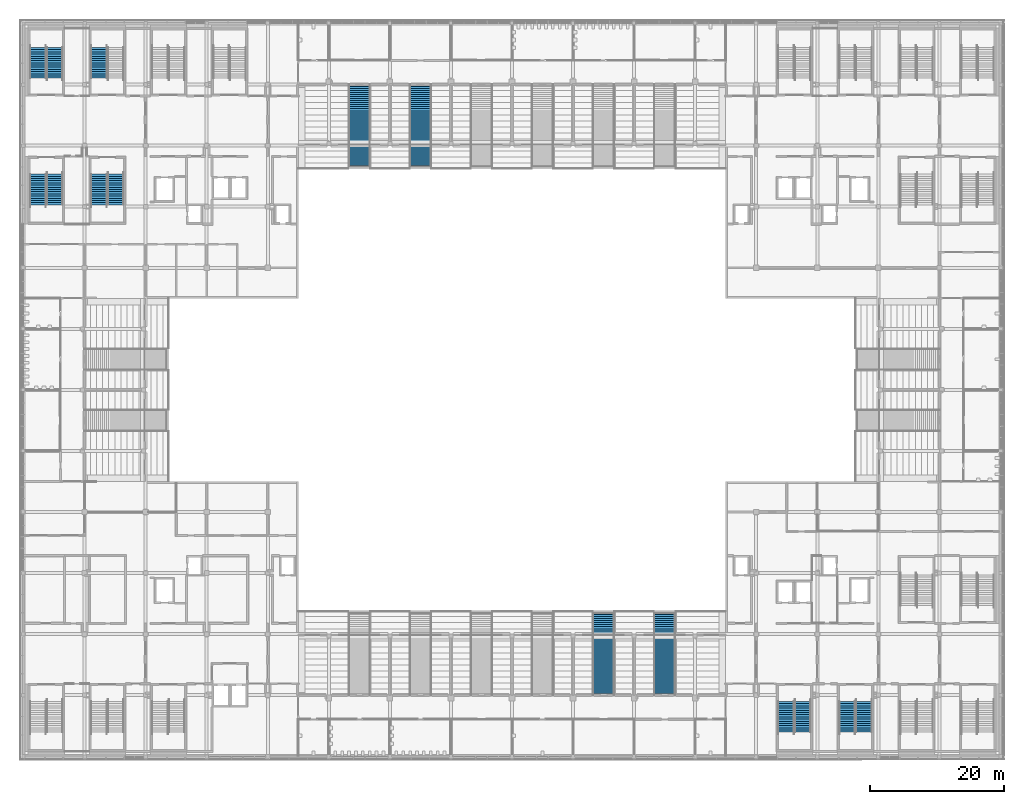
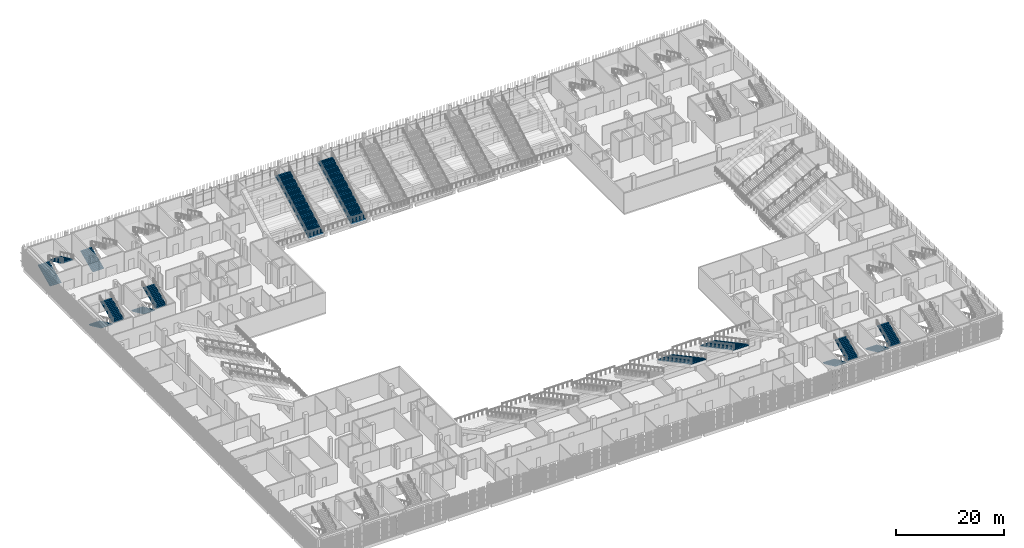
# One storey, part 93 of 139: 15 stair flights, 10 elements without a shape of their own.
"""IFC4 building model written with IfcOpenShell, lengths in metres."""

from ifc_helpers import new_model, si_unit, direction, frame, origin, place, context, subcontext, project, spatial, polyline, outline, extrude, material, type_object, element, aggregate, save


model = new_model("IFC4")

# Units and contexts
model_context = context("Model", 3, precision=1e-05, world=origin(), true_north=direction((0.0, 1.0)))
body_context = subcontext(model_context, "Body", "Model", "MODEL_VIEW")
ifc_project = project(units=[si_unit("LENGTHUNIT", "METRE"), si_unit("AREAUNIT", "SQUARE_METRE"), si_unit("VOLUMEUNIT", "CUBIC_METRE"), si_unit("PLANEANGLEUNIT", "RADIAN"), si_unit("MASSUNIT", "GRAM", prefix="KILO")], contexts=[model_context])

# Site, building, storey
site_placement = place(None, origin())
site = spatial("IfcSite", under=ifc_project, at=site_placement, CompositionType="ELEMENT")
building_placement = place(site_placement, origin())
building = spatial("IfcBuilding", under=site, at=building_placement, Name="Shirokan Park Arena", CompositionType="ELEMENT")
storey_placement = place(building_placement, frame((0.0, 0.0, 15.469970703125)))
storey = spatial("IfcBuildingStorey", under=building, at=storey_placement, Name="L03", CompositionType="ELEMENT", Elevation=15.469970703125)

# Stair, stair flights
ifc_material = material(Name="Concrete C30 precast", Category="concrete")
stair_type_1 = type_object("IfcStairType", Name="Stair 30 risers 152 x 327 2400 wide", PredefinedType="TWO_STRAIGHT_RUN_STAIR", material=ifc_material)
stair_1_placement = place(storey_placement, origin())
stair_1 = element("IfcStair", 1, at=stair_1_placement, inside=storey, type_object=stair_type_1, Name="Exit Stair 2.C L03 to L04", PredefinedType="TWO_STRAIGHT_RUN_STAIR")
stair_flight_type_1 = type_object("IfcStairFlightType", Name="Stair flight 15 risers 152 x 327 2400 wide", PredefinedType="STRAIGHT", material=ifc_material)
stair_flight_1_placement = place(storey_placement, frame((122.75, 8.14990234375, 0.0), z_axis=(0.0, 0.0, 1.0), x_axis=(0.0, -1.0, 0.0)))
stair_flight_1 = element("IfcStairFlight", 2, at=stair_flight_1_placement, type_object=stair_flight_type_1, Name="ST06.4 flight 1", NumberOfRisers=15, NumberOfTreads=14, PredefinedType="STRAIGHT", RiserHeight=0.151666667, TreadLength=0.3267, context=body_context, shape_type="SweptSolid", body=[
    extrude(outline(polyline([(0.0, 0.0), (0.0, 0.151611328125), (0.32666015625, 0.151611328125), (0.32666015625, 0.30322265625), (0.6533203125, 0.30322265625), (0.6533203125, 0.455078125), (0.97998046875, 0.455078125), (0.97998046875, 0.606689453125), (1.306884765625, 0.606689453125), (1.306884765625, 0.75830078125), (1.633544921875, 0.75830078125), (1.633544921875, 0.909912109375), (1.960205078125, 0.909912109375), (1.960205078125, 1.061767578125), (2.286865234375, 1.061767578125), (2.286865234375, 1.21337890625), (2.613525390625, 1.21337890625), (2.613525390625, 1.364990234375), (2.940185546875, 1.364990234375), (2.940185546875, 1.5166015625), (3.26708984375, 1.5166015625), (3.26708984375, 1.668212890625), (3.59375, 1.668212890625), (3.59375, 1.820068359375), (3.92041015625, 1.820068359375), (3.92041015625, 1.9716796875), (4.2470703125, 1.9716796875), (4.2470703125, 2.123291015625), (4.57373046875, 2.123291015625), (4.57373046875, 2.27490234375), (4.57373046875, 1.9580078125), (0.35595703125, 0.0), (0.0, 0.0)])), frame((0.0, 1.199951171875, 0.0), z_axis=(0.0, -1.0, 0.0), x_axis=(1.0, 0.0, 0.0)), (0.0, 0.0, 1.0), 2.39990234375),
])
stair_flight_2_placement = place(storey_placement, frame((125.25, 3.576171875, 2.275146484375), z_axis=(0.0, 0.0, 1.0), x_axis=(0.0, 1.0, 0.0)))
stair_flight_2 = element("IfcStairFlight", 3, at=stair_flight_2_placement, type_object=stair_flight_type_1, Name="ST06.4 flight 2", NumberOfRisers=15, NumberOfTreads=14, PredefinedType="STRAIGHT", RiserHeight=0.151666667, TreadLength=0.3267, context=body_context, shape_type="SweptSolid", body=[
    extrude(outline(polyline([(0.0, 0.0), (0.0, 0.151611328125), (0.32666015625, 0.151611328125), (0.32666015625, 0.30322265625), (0.6533203125, 0.30322265625), (0.6533203125, 0.455078125), (0.97998046875, 0.455078125), (0.97998046875, 0.606689453125), (1.306884765625, 0.606689453125), (1.306884765625, 0.75830078125), (1.633544921875, 0.75830078125), (1.633544921875, 0.909912109375), (1.960205078125, 0.909912109375), (1.960205078125, 1.061767578125), (2.286865234375, 1.061767578125), (2.286865234375, 1.21337890625), (2.613525390625, 1.21337890625), (2.613525390625, 1.364990234375), (2.940185546875, 1.364990234375), (2.940185546875, 1.5166015625), (3.26708984375, 1.5166015625), (3.26708984375, 1.668212890625), (3.59375, 1.668212890625), (3.59375, 1.820068359375), (3.92041015625, 1.820068359375), (3.92041015625, 1.9716796875), (4.2470703125, 1.9716796875), (4.2470703125, 2.123291015625), (4.57373046875, 2.123291015625), (4.57373046875, 2.27490234375), (4.57373046875, 1.9580078125), (0.35595703125, 0.0), (0.0, 0.0)])), frame((0.0, 1.199951171875, 0.0), z_axis=(0.0, -1.0, 0.0), x_axis=(1.0, 0.0, 0.0)), (0.0, 0.0, 1.0), 2.39990234375),
])
aggregate(stair_1, [stair_flight_1, stair_flight_2])

stair_2_placement = place(storey_placement, origin())
stair_2 = element("IfcStair", 4, at=stair_2_placement, inside=storey, type_object=stair_type_1, Name="Exit Stair 2.D L03 to L04", PredefinedType="TWO_STRAIGHT_RUN_STAIR")
stair_flight_3_placement = place(storey_placement, frame((113.64990234375, 8.14990234375, 0.0), z_axis=(0.0, 0.0, 1.0), x_axis=(0.0, -1.0, 0.0)))
stair_flight_3 = element("IfcStairFlight", 5, at=stair_flight_3_placement, type_object=stair_flight_type_1, Name="ST07.4 flight 1", NumberOfRisers=15, NumberOfTreads=14, PredefinedType="STRAIGHT", RiserHeight=0.151666667, TreadLength=0.3267, context=body_context, shape_type="SweptSolid", body=[
    extrude(outline(polyline([(0.0, 0.0), (0.0, 0.151611328125), (0.32666015625, 0.151611328125), (0.32666015625, 0.30322265625), (0.6533203125, 0.30322265625), (0.6533203125, 0.455078125), (0.97998046875, 0.455078125), (0.97998046875, 0.606689453125), (1.306884765625, 0.606689453125), (1.306884765625, 0.75830078125), (1.633544921875, 0.75830078125), (1.633544921875, 0.909912109375), (1.960205078125, 0.909912109375), (1.960205078125, 1.061767578125), (2.286865234375, 1.061767578125), (2.286865234375, 1.21337890625), (2.613525390625, 1.21337890625), (2.613525390625, 1.364990234375), (2.940185546875, 1.364990234375), (2.940185546875, 1.5166015625), (3.26708984375, 1.5166015625), (3.26708984375, 1.668212890625), (3.59375, 1.668212890625), (3.59375, 1.820068359375), (3.92041015625, 1.820068359375), (3.92041015625, 1.9716796875), (4.2470703125, 1.9716796875), (4.2470703125, 2.123291015625), (4.57373046875, 2.123291015625), (4.57373046875, 2.27490234375), (4.57373046875, 1.9580078125), (0.35595703125, 0.0), (0.0, 0.0)])), frame((0.0, 1.199951171875, 0.0), z_axis=(0.0, -1.0, 0.0), x_axis=(1.0, 0.0, 0.0)), (0.0, 0.0, 1.0), 2.39990234375),
])
stair_flight_4_placement = place(storey_placement, frame((116.14990234375, 3.576171875, 2.275146484375), z_axis=(0.0, 0.0, 1.0), x_axis=(0.0, 1.0, 0.0)))
stair_flight_4 = element("IfcStairFlight", 6, at=stair_flight_4_placement, type_object=stair_flight_type_1, Name="ST07.4 flight 2", NumberOfRisers=15, NumberOfTreads=14, PredefinedType="STRAIGHT", RiserHeight=0.151666667, TreadLength=0.3267, context=body_context, shape_type="SweptSolid", body=[
    extrude(outline(polyline([(0.0, 0.0), (0.0, 0.151611328125), (0.32666015625, 0.151611328125), (0.32666015625, 0.30322265625), (0.6533203125, 0.30322265625), (0.6533203125, 0.455078125), (0.97998046875, 0.455078125), (0.97998046875, 0.606689453125), (1.306884765625, 0.606689453125), (1.306884765625, 0.75830078125), (1.633544921875, 0.75830078125), (1.633544921875, 0.909912109375), (1.960205078125, 0.909912109375), (1.960205078125, 1.061767578125), (2.286865234375, 1.061767578125), (2.286865234375, 1.21337890625), (2.613525390625, 1.21337890625), (2.613525390625, 1.364990234375), (2.940185546875, 1.364990234375), (2.940185546875, 1.5166015625), (3.26708984375, 1.5166015625), (3.26708984375, 1.668212890625), (3.59375, 1.668212890625), (3.59375, 1.820068359375), (3.92041015625, 1.820068359375), (3.92041015625, 1.9716796875), (4.2470703125, 1.9716796875), (4.2470703125, 2.123291015625), (4.57373046875, 2.123291015625), (4.57373046875, 2.27490234375), (4.57373046875, 1.9580078125), (0.35595703125, 0.0), (0.0, 0.0)])), frame((0.0, 1.199951171875, 0.0), z_axis=(0.0, -1.0, 0.0), x_axis=(1.0, 0.0, 0.0)), (0.0, 0.0, 1.0), 2.39990234375),
])
aggregate(stair_2, [stair_flight_3, stair_flight_4])

stair_3_placement = place(storey_placement, origin())
stair_3 = element("IfcStair", 7, at=stair_3_placement, inside=storey, type_object=stair_type_1, Name="Exit Stair 4.A L03 to L04", PredefinedType="TWO_STRAIGHT_RUN_STAIR")
stair_flight_5_placement = place(storey_placement, frame((2.14990234375, 101.050048828125, 0.0), z_axis=(0.0, 0.0, 1.0), x_axis=(0.0, 1.0, 0.0)))
stair_flight_5 = element("IfcStairFlight", 8, at=stair_flight_5_placement, type_object=stair_flight_type_1, Name="ST10.4 flight 1", NumberOfRisers=15, NumberOfTreads=14, PredefinedType="STRAIGHT", RiserHeight=0.151666667, TreadLength=0.3267, context=body_context, shape_type="SweptSolid", body=[
    extrude(outline(polyline([(0.0, 0.0), (0.0, 0.151611328125), (0.32666015625, 0.151611328125), (0.32666015625, 0.30322265625), (0.6533203125, 0.30322265625), (0.6533203125, 0.455078125), (0.97998046875, 0.455078125), (0.97998046875, 0.606689453125), (1.306884765625, 0.606689453125), (1.306884765625, 0.75830078125), (1.633544921875, 0.75830078125), (1.633544921875, 0.909912109375), (1.960205078125, 0.909912109375), (1.960205078125, 1.061767578125), (2.286865234375, 1.061767578125), (2.286865234375, 1.21337890625), (2.613525390625, 1.21337890625), (2.613525390625, 1.364990234375), (2.940185546875, 1.364990234375), (2.940185546875, 1.5166015625), (3.26708984375, 1.5166015625), (3.26708984375, 1.668212890625), (3.59375, 1.668212890625), (3.59375, 1.820068359375), (3.92041015625, 1.820068359375), (3.92041015625, 1.9716796875), (4.2470703125, 1.9716796875), (4.2470703125, 2.123291015625), (4.57373046875, 2.123291015625), (4.57373046875, 2.27490234375), (4.57373046875, 1.9580078125), (0.35595703125, 0.0), (0.0, 0.0)])), frame((0.0, 1.199951171875, 0.0), z_axis=(0.0, -1.0, 0.0), x_axis=(1.0, 0.0, 0.0)), (0.0, 0.0, 1.0), 2.39990234375),
])
stair_flight_6_placement = place(storey_placement, frame((4.64990234375, 105.623779296875, 2.275146484375), z_axis=(0.0, 0.0, 1.0), x_axis=(0.0, -1.0, 0.0)))
stair_flight_6 = element("IfcStairFlight", 9, at=stair_flight_6_placement, type_object=stair_flight_type_1, Name="ST10.4 flight 2", NumberOfRisers=15, NumberOfTreads=14, PredefinedType="STRAIGHT", RiserHeight=0.151666667, TreadLength=0.3267, context=body_context, shape_type="SweptSolid", body=[
    extrude(outline(polyline([(0.0, 0.0), (0.0, 0.151611328125), (0.32666015625, 0.151611328125), (0.32666015625, 0.30322265625), (0.6533203125, 0.30322265625), (0.6533203125, 0.455078125), (0.97998046875, 0.455078125), (0.97998046875, 0.606689453125), (1.306884765625, 0.606689453125), (1.306884765625, 0.75830078125), (1.633544921875, 0.75830078125), (1.633544921875, 0.909912109375), (1.960205078125, 0.909912109375), (1.960205078125, 1.061767578125), (2.286865234375, 1.061767578125), (2.286865234375, 1.21337890625), (2.613525390625, 1.21337890625), (2.613525390625, 1.364990234375), (2.940185546875, 1.364990234375), (2.940185546875, 1.5166015625), (3.26708984375, 1.5166015625), (3.26708984375, 1.668212890625), (3.59375, 1.668212890625), (3.59375, 1.820068359375), (3.92041015625, 1.820068359375), (3.92041015625, 1.9716796875), (4.2470703125, 1.9716796875), (4.2470703125, 2.123291015625), (4.57373046875, 2.123291015625), (4.57373046875, 2.27490234375), (4.57373046875, 1.9580078125), (0.35595703125, 0.0), (0.0, 0.0)])), frame((0.0, 1.199951171875, 0.0), z_axis=(0.0, -1.0, 0.0), x_axis=(1.0, 0.0, 0.0)), (0.0, 0.0, 1.0), 2.39990234375),
])
aggregate(stair_3, [stair_flight_5, stair_flight_6])

# Stair, stair flight
stair_4_placement = place(storey_placement, origin())
stair_4 = element("IfcStair", 10, at=stair_4_placement, inside=storey, type_object=stair_type_1, Name="Exit Stair 4.B L03 to L04", PredefinedType="TWO_STRAIGHT_RUN_STAIR")
stair_flight_7_placement = place(storey_placement, frame((11.25, 101.050048828125, 0.0), z_axis=(0.0, 0.0, 1.0), x_axis=(0.0, 1.0, 0.0)))
stair_flight_7 = element("IfcStairFlight", 11, at=stair_flight_7_placement, type_object=stair_flight_type_1, Name="ST11.4 flight 1", NumberOfRisers=15, NumberOfTreads=14, PredefinedType="STRAIGHT", RiserHeight=0.151666667, TreadLength=0.3267, context=body_context, shape_type="SweptSolid", body=[
    extrude(outline(polyline([(0.0, 0.0), (0.0, 0.151611328125), (0.32666015625, 0.151611328125), (0.32666015625, 0.30322265625), (0.6533203125, 0.30322265625), (0.6533203125, 0.455078125), (0.97998046875, 0.455078125), (0.97998046875, 0.606689453125), (1.306884765625, 0.606689453125), (1.306884765625, 0.75830078125), (1.633544921875, 0.75830078125), (1.633544921875, 0.909912109375), (1.960205078125, 0.909912109375), (1.960205078125, 1.061767578125), (2.286865234375, 1.061767578125), (2.286865234375, 1.21337890625), (2.613525390625, 1.21337890625), (2.613525390625, 1.364990234375), (2.940185546875, 1.364990234375), (2.940185546875, 1.5166015625), (3.26708984375, 1.5166015625), (3.26708984375, 1.668212890625), (3.59375, 1.668212890625), (3.59375, 1.820068359375), (3.92041015625, 1.820068359375), (3.92041015625, 1.9716796875), (4.2470703125, 1.9716796875), (4.2470703125, 2.123291015625), (4.57373046875, 2.123291015625), (4.57373046875, 2.27490234375), (4.57373046875, 1.9580078125), (0.35595703125, 0.0), (0.0, 0.0)])), frame((0.0, 1.199951171875, 0.0), z_axis=(0.0, -1.0, 0.0), x_axis=(1.0, 0.0, 0.0)), (0.0, 0.0, 1.0), 2.39990234375),
])
aggregate(stair_4, [stair_flight_7])

# Stair, stair flights
stair_5_placement = place(storey_placement, origin())
stair_5 = element("IfcStair", 12, at=stair_5_placement, inside=storey, type_object=stair_type_1, Name="Exit Stair 4.E L03 to L04", PredefinedType="TWO_STRAIGHT_RUN_STAIR")
stair_flight_8_placement = place(storey_placement, frame((2.14990234375, 86.75, 0.0), z_axis=(0.0, 0.0, 1.0), x_axis=(0.0, -1.0, 0.0)))
stair_flight_8 = element("IfcStairFlight", 13, at=stair_flight_8_placement, type_object=stair_flight_type_1, Name="ST14.4 flight 1", NumberOfRisers=15, NumberOfTreads=14, PredefinedType="STRAIGHT", RiserHeight=0.151666667, TreadLength=0.3267, context=body_context, shape_type="SweptSolid", body=[
    extrude(outline(polyline([(0.0, 0.0), (0.0, 0.151611328125), (0.32666015625, 0.151611328125), (0.32666015625, 0.30322265625), (0.6533203125, 0.30322265625), (0.6533203125, 0.455078125), (0.97998046875, 0.455078125), (0.97998046875, 0.606689453125), (1.306884765625, 0.606689453125), (1.306884765625, 0.75830078125), (1.633544921875, 0.75830078125), (1.633544921875, 0.909912109375), (1.960205078125, 0.909912109375), (1.960205078125, 1.061767578125), (2.286865234375, 1.061767578125), (2.286865234375, 1.21337890625), (2.613525390625, 1.21337890625), (2.613525390625, 1.364990234375), (2.940185546875, 1.364990234375), (2.940185546875, 1.5166015625), (3.26708984375, 1.5166015625), (3.26708984375, 1.668212890625), (3.59375, 1.668212890625), (3.59375, 1.820068359375), (3.92041015625, 1.820068359375), (3.92041015625, 1.9716796875), (4.2470703125, 1.9716796875), (4.2470703125, 2.123291015625), (4.57373046875, 2.123291015625), (4.57373046875, 2.27490234375), (4.57373046875, 1.9580078125), (0.35595703125, 0.0), (0.0, 0.0)])), frame((0.0, 1.199951171875, 0.0), z_axis=(0.0, -1.0, 0.0), x_axis=(1.0, 0.0, 0.0)), (0.0, 0.0, 1.0), 2.39990234375),
])
stair_flight_9_placement = place(storey_placement, frame((4.64990234375, 82.17626953125, 2.275146484375), z_axis=(0.0, 0.0, 1.0), x_axis=(0.0, 1.0, 0.0)))
stair_flight_9 = element("IfcStairFlight", 14, at=stair_flight_9_placement, type_object=stair_flight_type_1, Name="ST14.4 flight 2", NumberOfRisers=15, NumberOfTreads=14, PredefinedType="STRAIGHT", RiserHeight=0.151666667, TreadLength=0.3267, context=body_context, shape_type="SweptSolid", body=[
    extrude(outline(polyline([(0.0, 0.0), (0.0, 0.151611328125), (0.32666015625, 0.151611328125), (0.32666015625, 0.30322265625), (0.6533203125, 0.30322265625), (0.6533203125, 0.455078125), (0.97998046875, 0.455078125), (0.97998046875, 0.606689453125), (1.306884765625, 0.606689453125), (1.306884765625, 0.75830078125), (1.633544921875, 0.75830078125), (1.633544921875, 0.909912109375), (1.960205078125, 0.909912109375), (1.960205078125, 1.061767578125), (2.286865234375, 1.061767578125), (2.286865234375, 1.21337890625), (2.613525390625, 1.21337890625), (2.613525390625, 1.364990234375), (2.940185546875, 1.364990234375), (2.940185546875, 1.5166015625), (3.26708984375, 1.5166015625), (3.26708984375, 1.668212890625), (3.59375, 1.668212890625), (3.59375, 1.820068359375), (3.92041015625, 1.820068359375), (3.92041015625, 1.9716796875), (4.2470703125, 1.9716796875), (4.2470703125, 2.123291015625), (4.57373046875, 2.123291015625), (4.57373046875, 2.27490234375), (4.57373046875, 1.9580078125), (0.35595703125, 0.0), (0.0, 0.0)])), frame((0.0, 1.199951171875, 0.0), z_axis=(0.0, -1.0, 0.0), x_axis=(1.0, 0.0, 0.0)), (0.0, 0.0, 1.0), 2.39990234375),
])
aggregate(stair_5, [stair_flight_8, stair_flight_9])

stair_6_placement = place(storey_placement, origin())
stair_6 = element("IfcStair", 15, at=stair_6_placement, inside=storey, type_object=stair_type_1, Name="Exit Stair 4.F L03 to L04", PredefinedType="TWO_STRAIGHT_RUN_STAIR")
stair_flight_10_placement = place(storey_placement, frame((11.25, 86.75, 0.0), z_axis=(0.0, 0.0, 1.0), x_axis=(0.0, -1.0, 0.0)))
stair_flight_10 = element("IfcStairFlight", 16, at=stair_flight_10_placement, type_object=stair_flight_type_1, Name="ST15.4 flight 1", NumberOfRisers=15, NumberOfTreads=14, PredefinedType="STRAIGHT", RiserHeight=0.151666667, TreadLength=0.3267, context=body_context, shape_type="SweptSolid", body=[
    extrude(outline(polyline([(0.0, 0.0), (0.0, 0.151611328125), (0.32666015625, 0.151611328125), (0.32666015625, 0.30322265625), (0.6533203125, 0.30322265625), (0.6533203125, 0.455078125), (0.97998046875, 0.455078125), (0.97998046875, 0.606689453125), (1.306884765625, 0.606689453125), (1.306884765625, 0.75830078125), (1.633544921875, 0.75830078125), (1.633544921875, 0.909912109375), (1.960205078125, 0.909912109375), (1.960205078125, 1.061767578125), (2.286865234375, 1.061767578125), (2.286865234375, 1.21337890625), (2.613525390625, 1.21337890625), (2.613525390625, 1.364990234375), (2.940185546875, 1.364990234375), (2.940185546875, 1.5166015625), (3.26708984375, 1.5166015625), (3.26708984375, 1.668212890625), (3.59375, 1.668212890625), (3.59375, 1.820068359375), (3.92041015625, 1.820068359375), (3.92041015625, 1.9716796875), (4.2470703125, 1.9716796875), (4.2470703125, 2.123291015625), (4.57373046875, 2.123291015625), (4.57373046875, 2.27490234375), (4.57373046875, 1.9580078125), (0.35595703125, 0.0), (0.0, 0.0)])), frame((0.0, 1.199951171875, 0.0), z_axis=(0.0, -1.0, 0.0), x_axis=(1.0, 0.0, 0.0)), (0.0, 0.0, 1.0), 2.39990234375),
])
stair_flight_11_placement = place(storey_placement, frame((13.75, 82.17626953125, 2.275146484375), z_axis=(0.0, 0.0, 1.0), x_axis=(0.0, 1.0, 0.0)))
stair_flight_11 = element("IfcStairFlight", 17, at=stair_flight_11_placement, type_object=stair_flight_type_1, Name="ST15.4 flight 2", NumberOfRisers=15, NumberOfTreads=14, PredefinedType="STRAIGHT", RiserHeight=0.151666667, TreadLength=0.3267, context=body_context, shape_type="SweptSolid", body=[
    extrude(outline(polyline([(0.0, 0.0), (0.0, 0.151611328125), (0.32666015625, 0.151611328125), (0.32666015625, 0.30322265625), (0.6533203125, 0.30322265625), (0.6533203125, 0.455078125), (0.97998046875, 0.455078125), (0.97998046875, 0.606689453125), (1.306884765625, 0.606689453125), (1.306884765625, 0.75830078125), (1.633544921875, 0.75830078125), (1.633544921875, 0.909912109375), (1.960205078125, 0.909912109375), (1.960205078125, 1.061767578125), (2.286865234375, 1.061767578125), (2.286865234375, 1.21337890625), (2.613525390625, 1.21337890625), (2.613525390625, 1.364990234375), (2.940185546875, 1.364990234375), (2.940185546875, 1.5166015625), (3.26708984375, 1.5166015625), (3.26708984375, 1.668212890625), (3.59375, 1.668212890625), (3.59375, 1.820068359375), (3.92041015625, 1.820068359375), (3.92041015625, 1.9716796875), (4.2470703125, 1.9716796875), (4.2470703125, 2.123291015625), (4.57373046875, 2.123291015625), (4.57373046875, 2.27490234375), (4.57373046875, 1.9580078125), (0.35595703125, 0.0), (0.0, 0.0)])), frame((0.0, 1.199951171875, 0.0), z_axis=(0.0, -1.0, 0.0), x_axis=(1.0, 0.0, 0.0)), (0.0, 0.0, 1.0), 2.39990234375),
])
aggregate(stair_6, [stair_flight_10, stair_flight_11])

# Stair, stair flight
stair_type_2 = type_object("IfcStairType", Name="Stair 42 risers 160 x 300 3200 wide", PredefinedType="STRAIGHT_RUN_STAIR", material=ifc_material)
stair_7_placement = place(storey_placement, origin())
stair_7 = element("IfcStair", 18, at=stair_7_placement, inside=storey, type_object=stair_type_2, Name="Vomitory stair N1 upper", PredefinedType="STRAIGHT_RUN_STAIR")
stair_flight_type_2 = type_object("IfcStairFlightType", Name="Stair flight 42 risers 160 x 300 3200 wide", PredefinedType="STRAIGHT", material=ifc_material)
stair_flight_12_placement = place(storey_placement, frame((50.050048828125, 87.800048828125, 2.380126953125), z_axis=(0.0, 0.0, 1.0), x_axis=(0.0, 1.0, 0.0)))
stair_flight_12 = element("IfcStairFlight", 19, at=stair_flight_12_placement, type_object=stair_flight_type_2, Name="VS-N1U flight 1", NumberOfRisers=42, NumberOfTreads=41, PredefinedType="STRAIGHT", RiserHeight=0.16, TreadLength=0.3, context=body_context, shape_type="SweptSolid", body=[
    extrude(outline(polyline([(0.0, -0.2265625), (0.0, 0.0), (0.0, 0.159912109375), (0.300048828125, 0.159912109375), (0.300048828125, 0.320068359375), (0.60009765625, 0.320068359375), (0.60009765625, 0.47998046875), (0.89990234375, 0.47998046875), (0.89990234375, 0.639892578125), (1.199951171875, 0.639892578125), (1.199951171875, 0.800048828125), (1.5, 0.800048828125), (1.5, 0.9599609375), (1.800048828125, 0.9599609375), (1.800048828125, 1.1201171875), (2.10009765625, 1.1201171875), (2.10009765625, 1.280029296875), (2.39990234375, 1.280029296875), (2.39990234375, 1.43994140625), (2.699951171875, 1.43994140625), (2.699951171875, 1.60009765625), (3.0, 1.60009765625), (3.0, 1.760009765625), (3.300048828125, 1.760009765625), (3.300048828125, 1.919921875), (3.60009765625, 1.919921875), (3.60009765625, 2.080078125), (3.89990234375, 2.080078125), (3.89990234375, 2.239990234375), (4.199951171875, 2.239990234375), (4.199951171875, 2.39990234375), (4.5, 2.39990234375), (4.5, 2.56005859375), (4.800048828125, 2.56005859375), (4.800048828125, 2.719970703125), (5.10009765625, 2.719970703125), (5.10009765625, 2.8798828125), (5.39990234375, 2.8798828125), (5.39990234375, 3.0400390625), (5.699951171875, 3.0400390625), (5.699951171875, 3.199951171875), (6.0, 3.199951171875), (6.0, 3.360107421875), (6.300048828125, 3.360107421875), (6.300048828125, 3.52001953125), (6.60009765625, 3.52001953125), (6.60009765625, 3.679931640625), (6.89990234375, 3.679931640625), (6.89990234375, 3.840087890625), (7.199951171875, 3.840087890625), (7.199951171875, 4.0), (7.5, 4.0), (7.5, 4.159912109375), (7.800048828125, 4.159912109375), (7.800048828125, 4.320068359375), (8.10009765625, 4.320068359375), (8.10009765625, 4.47998046875), (8.39990234375, 4.47998046875), (8.39990234375, 4.639892578125), (8.699951171875, 4.639892578125), (8.699951171875, 4.800048828125), (9.0, 4.800048828125), (9.0, 4.9599609375), (9.300048828125, 4.9599609375), (9.300048828125, 5.1201171875), (9.60009765625, 5.1201171875), (9.60009765625, 5.280029296875), (9.89990234375, 5.280029296875), (9.89990234375, 5.43994140625), (10.199951171875, 5.43994140625), (10.199951171875, 5.60009765625), (10.5, 5.60009765625), (10.5, 5.760009765625), (10.800048828125, 5.760009765625), (10.800048828125, 5.919921875), (11.10009765625, 5.919921875), (11.10009765625, 6.080078125), (11.39990234375, 6.080078125), (11.39990234375, 6.239990234375), (11.699951171875, 6.239990234375), (11.699951171875, 6.39990234375), (12.0, 6.39990234375), (12.0, 6.56005859375), (12.300048828125, 6.56005859375), (12.300048828125, 6.719970703125), (12.300048828125, 6.33349609375), (0.0, -0.2265625)])), frame((0.0, 1.60009765625, 0.0), z_axis=(0.0, -1.0, 0.0), x_axis=(1.0, 0.0, 0.0)), (0.0, 0.0, 1.0), 3.199951171875),
])
aggregate(stair_7, [stair_flight_12])

stair_8_placement = place(storey_placement, origin())
stair_8 = element("IfcStair", 20, at=stair_8_placement, inside=storey, type_object=stair_type_2, Name="Vomitory stair N2 upper", PredefinedType="STRAIGHT_RUN_STAIR")
stair_flight_13_placement = place(storey_placement, frame((59.14990234375, 87.800048828125, 2.380126953125), z_axis=(0.0, 0.0, 1.0), x_axis=(0.0, 1.0, 0.0)))
stair_flight_13 = element("IfcStairFlight", 21, at=stair_flight_13_placement, type_object=stair_flight_type_2, Name="VS-N2U flight 1", NumberOfRisers=42, NumberOfTreads=41, PredefinedType="STRAIGHT", RiserHeight=0.16, TreadLength=0.3, context=body_context, shape_type="SweptSolid", body=[
    extrude(outline(polyline([(0.0, -0.2265625), (0.0, 0.0), (0.0, 0.159912109375), (0.300048828125, 0.159912109375), (0.300048828125, 0.320068359375), (0.60009765625, 0.320068359375), (0.60009765625, 0.47998046875), (0.89990234375, 0.47998046875), (0.89990234375, 0.639892578125), (1.199951171875, 0.639892578125), (1.199951171875, 0.800048828125), (1.5, 0.800048828125), (1.5, 0.9599609375), (1.800048828125, 0.9599609375), (1.800048828125, 1.1201171875), (2.10009765625, 1.1201171875), (2.10009765625, 1.280029296875), (2.39990234375, 1.280029296875), (2.39990234375, 1.43994140625), (2.699951171875, 1.43994140625), (2.699951171875, 1.60009765625), (3.0, 1.60009765625), (3.0, 1.760009765625), (3.300048828125, 1.760009765625), (3.300048828125, 1.919921875), (3.60009765625, 1.919921875), (3.60009765625, 2.080078125), (3.89990234375, 2.080078125), (3.89990234375, 2.239990234375), (4.199951171875, 2.239990234375), (4.199951171875, 2.39990234375), (4.5, 2.39990234375), (4.5, 2.56005859375), (4.800048828125, 2.56005859375), (4.800048828125, 2.719970703125), (5.10009765625, 2.719970703125), (5.10009765625, 2.8798828125), (5.39990234375, 2.8798828125), (5.39990234375, 3.0400390625), (5.699951171875, 3.0400390625), (5.699951171875, 3.199951171875), (6.0, 3.199951171875), (6.0, 3.360107421875), (6.300048828125, 3.360107421875), (6.300048828125, 3.52001953125), (6.60009765625, 3.52001953125), (6.60009765625, 3.679931640625), (6.89990234375, 3.679931640625), (6.89990234375, 3.840087890625), (7.199951171875, 3.840087890625), (7.199951171875, 4.0), (7.5, 4.0), (7.5, 4.159912109375), (7.800048828125, 4.159912109375), (7.800048828125, 4.320068359375), (8.10009765625, 4.320068359375), (8.10009765625, 4.47998046875), (8.39990234375, 4.47998046875), (8.39990234375, 4.639892578125), (8.699951171875, 4.639892578125), (8.699951171875, 4.800048828125), (9.0, 4.800048828125), (9.0, 4.9599609375), (9.300048828125, 4.9599609375), (9.300048828125, 5.1201171875), (9.60009765625, 5.1201171875), (9.60009765625, 5.280029296875), (9.89990234375, 5.280029296875), (9.89990234375, 5.43994140625), (10.199951171875, 5.43994140625), (10.199951171875, 5.60009765625), (10.5, 5.60009765625), (10.5, 5.760009765625), (10.800048828125, 5.760009765625), (10.800048828125, 5.919921875), (11.10009765625, 5.919921875), (11.10009765625, 6.080078125), (11.39990234375, 6.080078125), (11.39990234375, 6.239990234375), (11.699951171875, 6.239990234375), (11.699951171875, 6.39990234375), (12.0, 6.39990234375), (12.0, 6.56005859375), (12.300048828125, 6.56005859375), (12.300048828125, 6.719970703125), (12.300048828125, 6.33349609375), (0.0, -0.2265625)])), frame((0.0, 1.60009765625, 0.0), z_axis=(0.0, -1.0, 0.0), x_axis=(1.0, 0.0, 0.0)), (0.0, 0.0, 1.0), 3.199951171875),
])
aggregate(stair_8, [stair_flight_13])

stair_9_placement = place(storey_placement, origin())
stair_9 = element("IfcStair", 22, at=stair_9_placement, inside=storey, type_object=stair_type_2, Name="Vomitory stair S5 upper", PredefinedType="STRAIGHT_RUN_STAIR")
stair_flight_14_placement = place(storey_placement, frame((86.449951171875, 21.39990234375, 2.380126953125), z_axis=(0.0, 0.0, 1.0), x_axis=(0.0, -1.0, 0.0)))
stair_flight_14 = element("IfcStairFlight", 23, at=stair_flight_14_placement, type_object=stair_flight_type_2, Name="VS-S5U flight 1", NumberOfRisers=42, NumberOfTreads=41, PredefinedType="STRAIGHT", RiserHeight=0.16, TreadLength=0.3, context=body_context, shape_type="SweptSolid", body=[
    extrude(outline(polyline([(0.0, -0.2265625), (0.0, 0.0), (0.0, 0.159912109375), (0.300048828125, 0.159912109375), (0.300048828125, 0.320068359375), (0.60009765625, 0.320068359375), (0.60009765625, 0.47998046875), (0.89990234375, 0.47998046875), (0.89990234375, 0.639892578125), (1.199951171875, 0.639892578125), (1.199951171875, 0.800048828125), (1.5, 0.800048828125), (1.5, 0.9599609375), (1.800048828125, 0.9599609375), (1.800048828125, 1.1201171875), (2.10009765625, 1.1201171875), (2.10009765625, 1.280029296875), (2.39990234375, 1.280029296875), (2.39990234375, 1.43994140625), (2.699951171875, 1.43994140625), (2.699951171875, 1.60009765625), (3.0, 1.60009765625), (3.0, 1.760009765625), (3.300048828125, 1.760009765625), (3.300048828125, 1.919921875), (3.60009765625, 1.919921875), (3.60009765625, 2.080078125), (3.89990234375, 2.080078125), (3.89990234375, 2.239990234375), (4.199951171875, 2.239990234375), (4.199951171875, 2.39990234375), (4.5, 2.39990234375), (4.5, 2.56005859375), (4.800048828125, 2.56005859375), (4.800048828125, 2.719970703125), (5.10009765625, 2.719970703125), (5.10009765625, 2.8798828125), (5.39990234375, 2.8798828125), (5.39990234375, 3.0400390625), (5.699951171875, 3.0400390625), (5.699951171875, 3.199951171875), (6.0, 3.199951171875), (6.0, 3.360107421875), (6.300048828125, 3.360107421875), (6.300048828125, 3.52001953125), (6.60009765625, 3.52001953125), (6.60009765625, 3.679931640625), (6.89990234375, 3.679931640625), (6.89990234375, 3.840087890625), (7.199951171875, 3.840087890625), (7.199951171875, 4.0), (7.5, 4.0), (7.5, 4.159912109375), (7.800048828125, 4.159912109375), (7.800048828125, 4.320068359375), (8.10009765625, 4.320068359375), (8.10009765625, 4.47998046875), (8.39990234375, 4.47998046875), (8.39990234375, 4.639892578125), (8.699951171875, 4.639892578125), (8.699951171875, 4.800048828125), (9.0, 4.800048828125), (9.0, 4.9599609375), (9.300048828125, 4.9599609375), (9.300048828125, 5.1201171875), (9.60009765625, 5.1201171875), (9.60009765625, 5.280029296875), (9.89990234375, 5.280029296875), (9.89990234375, 5.43994140625), (10.199951171875, 5.43994140625), (10.199951171875, 5.60009765625), (10.5, 5.60009765625), (10.5, 5.760009765625), (10.800048828125, 5.760009765625), (10.800048828125, 5.919921875), (11.10009765625, 5.919921875), (11.10009765625, 6.080078125), (11.39990234375, 6.080078125), (11.39990234375, 6.239990234375), (11.699951171875, 6.239990234375), (11.699951171875, 6.39990234375), (12.0, 6.39990234375), (12.0, 6.56005859375), (12.300048828125, 6.56005859375), (12.300048828125, 6.719970703125), (12.300048828125, 6.33349609375), (0.0, -0.2265625)])), frame((0.0, 1.60009765625, 0.0), z_axis=(0.0, -1.0, 0.0), x_axis=(1.0, 0.0, 0.0)), (0.0, 0.0, 1.0), 3.199951171875),
])
aggregate(stair_9, [stair_flight_14])

stair_10_placement = place(storey_placement, origin())
stair_10 = element("IfcStair", 24, at=stair_10_placement, inside=storey, type_object=stair_type_2, Name="Vomitory stair S6 upper", PredefinedType="STRAIGHT_RUN_STAIR")
stair_flight_15_placement = place(storey_placement, frame((95.550048828125, 21.39990234375, 2.380126953125), z_axis=(0.0, 0.0, 1.0), x_axis=(0.0, -1.0, 0.0)))
stair_flight_15 = element("IfcStairFlight", 25, at=stair_flight_15_placement, type_object=stair_flight_type_2, Name="VS-S6U flight 1", NumberOfRisers=42, NumberOfTreads=41, PredefinedType="STRAIGHT", RiserHeight=0.16, TreadLength=0.3, context=body_context, shape_type="SweptSolid", body=[
    extrude(outline(polyline([(0.0, -0.2265625), (0.0, 0.0), (0.0, 0.159912109375), (0.300048828125, 0.159912109375), (0.300048828125, 0.320068359375), (0.60009765625, 0.320068359375), (0.60009765625, 0.47998046875), (0.89990234375, 0.47998046875), (0.89990234375, 0.639892578125), (1.199951171875, 0.639892578125), (1.199951171875, 0.800048828125), (1.5, 0.800048828125), (1.5, 0.9599609375), (1.800048828125, 0.9599609375), (1.800048828125, 1.1201171875), (2.10009765625, 1.1201171875), (2.10009765625, 1.280029296875), (2.39990234375, 1.280029296875), (2.39990234375, 1.43994140625), (2.699951171875, 1.43994140625), (2.699951171875, 1.60009765625), (3.0, 1.60009765625), (3.0, 1.760009765625), (3.300048828125, 1.760009765625), (3.300048828125, 1.919921875), (3.60009765625, 1.919921875), (3.60009765625, 2.080078125), (3.89990234375, 2.080078125), (3.89990234375, 2.239990234375), (4.199951171875, 2.239990234375), (4.199951171875, 2.39990234375), (4.5, 2.39990234375), (4.5, 2.56005859375), (4.800048828125, 2.56005859375), (4.800048828125, 2.719970703125), (5.10009765625, 2.719970703125), (5.10009765625, 2.8798828125), (5.39990234375, 2.8798828125), (5.39990234375, 3.0400390625), (5.699951171875, 3.0400390625), (5.699951171875, 3.199951171875), (6.0, 3.199951171875), (6.0, 3.360107421875), (6.300048828125, 3.360107421875), (6.300048828125, 3.52001953125), (6.60009765625, 3.52001953125), (6.60009765625, 3.679931640625), (6.89990234375, 3.679931640625), (6.89990234375, 3.840087890625), (7.199951171875, 3.840087890625), (7.199951171875, 4.0), (7.5, 4.0), (7.5, 4.159912109375), (7.800048828125, 4.159912109375), (7.800048828125, 4.320068359375), (8.10009765625, 4.320068359375), (8.10009765625, 4.47998046875), (8.39990234375, 4.47998046875), (8.39990234375, 4.639892578125), (8.699951171875, 4.639892578125), (8.699951171875, 4.800048828125), (9.0, 4.800048828125), (9.0, 4.9599609375), (9.300048828125, 4.9599609375), (9.300048828125, 5.1201171875), (9.60009765625, 5.1201171875), (9.60009765625, 5.280029296875), (9.89990234375, 5.280029296875), (9.89990234375, 5.43994140625), (10.199951171875, 5.43994140625), (10.199951171875, 5.60009765625), (10.5, 5.60009765625), (10.5, 5.760009765625), (10.800048828125, 5.760009765625), (10.800048828125, 5.919921875), (11.10009765625, 5.919921875), (11.10009765625, 6.080078125), (11.39990234375, 6.080078125), (11.39990234375, 6.239990234375), (11.699951171875, 6.239990234375), (11.699951171875, 6.39990234375), (12.0, 6.39990234375), (12.0, 6.56005859375), (12.300048828125, 6.56005859375), (12.300048828125, 6.719970703125), (12.300048828125, 6.33349609375), (0.0, -0.2265625)])), frame((0.0, 1.60009765625, 0.0), z_axis=(0.0, -1.0, 0.0), x_axis=(1.0, 0.0, 0.0)), (0.0, 0.0, 1.0), 3.199951171875),
])
aggregate(stair_10, [stair_flight_15])

save(model, "model.ifc")
